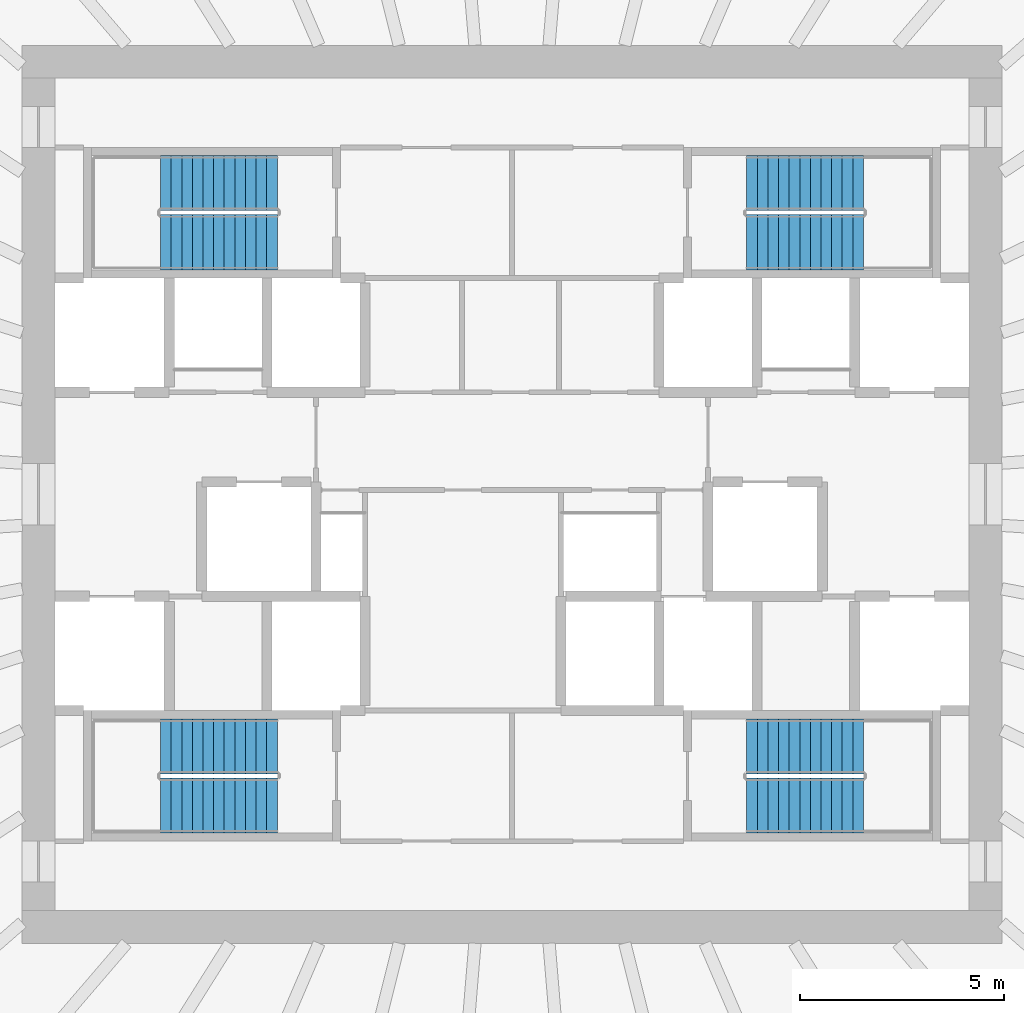
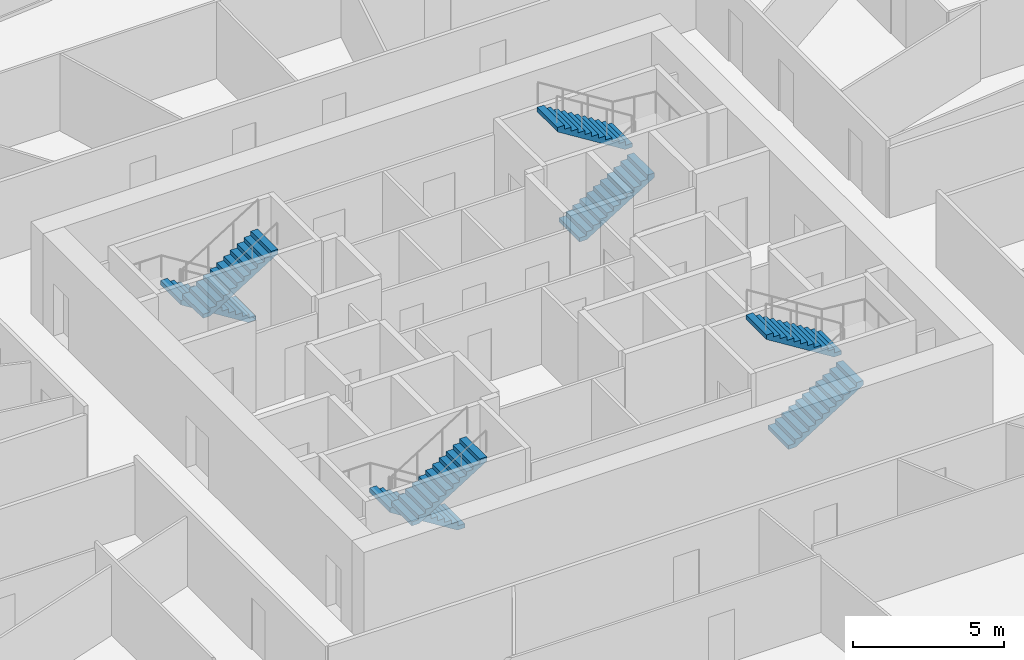
# One storey, part 10 of 11: 8 stair flights, 4 elements without a shape of their own.
"""IFC4 building model written with IfcOpenShell, lengths in metres."""

from ifc_helpers import new_model, si_unit, direction, frame, origin, place, context, subcontext, project, spatial, polyline, outline, extrude, source, transform, mapped, material, type_object, element, aggregate, save


model = new_model("IFC4")

# Units and contexts
model_context = context("Model", 3, precision=1e-05, world=origin(), true_north=direction((0.0, 1.0)))
body_context = subcontext(model_context, "Body", "Model", "MODEL_VIEW")
ifc_project = project(units=[si_unit("LENGTHUNIT", "METRE"), si_unit("AREAUNIT", "SQUARE_METRE"), si_unit("VOLUMEUNIT", "CUBIC_METRE"), si_unit("PLANEANGLEUNIT", "RADIAN"), si_unit("MASSUNIT", "GRAM", prefix="KILO")], contexts=[model_context])

# Site, building, storey
site_placement = place(None, origin())
site = spatial("IfcSite", under=ifc_project, at=site_placement, CompositionType="ELEMENT")
building_placement = place(site_placement, origin())
building = spatial("IfcBuilding", under=site, at=building_placement, Name="Embergate Tower", CompositionType="ELEMENT")
storey_placement = place(building_placement, frame((0.0, 0.0, 211.199951171875)))
storey = spatial("IfcBuildingStorey", under=building, at=storey_placement, Name="L48", CompositionType="ELEMENT", Elevation=211.199951171875)

# Stair, stair flights
ifc_material_1 = material(Name="Exit stair")
stair_type = type_object("IfcStairType", Name="Exit stair", PredefinedType="HALF_TURN_STAIR", material=ifc_material_1)
stair_1_placement = place(storey_placement, origin())
stair_1 = element("IfcStair", 1, at=stair_1_placement, inside=storey, type_object=stair_type, Name="L48 Exit stair 1", PredefinedType="HALF_TURN_STAIR")
ifc_material_2 = material(Name="Concrete C40", Category="concrete")
stair_flight_type = type_object("IfcStairFlightType", Name="Stair flight reinforced concrete", PredefinedType="STRAIGHT", material=ifc_material_2)
shared_shape = source(origin(), body_context, "Body", "SweptSolid", [
    extrude(outline(polyline([(0.0, 0.0), (0.0, 0.16259765625), (0.260009765625, 0.16259765625), (0.260009765625, 0.324951171875), (0.52001953125, 0.324951171875), (0.52001953125, 0.487548828125), (0.780029296875, 0.487548828125), (0.780029296875, 0.64990234375), (1.0400390625, 0.64990234375), (1.0400390625, 0.8125), (1.300048828125, 0.8125), (1.300048828125, 0.97509765625), (1.56005859375, 0.97509765625), (1.56005859375, 1.137451171875), (1.820068359375, 1.137451171875), (1.820068359375, 1.300048828125), (2.080078125, 1.300048828125), (2.080078125, 1.46240234375), (2.340087890625, 1.46240234375), (2.340087890625, 1.625), (2.60009765625, 1.625), (2.60009765625, 1.78759765625), (2.860107421875, 1.78759765625), (2.860107421875, 1.949951171875), (2.860107421875, 1.61083984375), (0.28271484375, 0.0), (0.0, 0.0)])), frame((0.0, 0.675048828125, 0.0), z_axis=(0.0, -1.0, 0.0), x_axis=(1.0, 0.0, 0.0)), (0.0, 0.0, 1.0), 1.35009765625),
])
stair_flight_1_placement = place(storey_placement, frame((-5.75, 7.625, 0.0), z_axis=(0.0, 0.0, 1.0), x_axis=(-1.0, 0.0, 0.0)))
stair_flight_1 = element("IfcStairFlight", 2, at=stair_flight_1_placement, type_object=stair_flight_type, Name="ST1 flight 1", NumberOfRisers=12, NumberOfTreads=11, PredefinedType="STRAIGHT", RiserHeight=0.1625, TreadLength=0.26, context=body_context, shape_type="MappedRepresentation", body=[
    mapped(shared_shape, transform((0.0, 0.0, 0.0))),
])
stair_flight_2_placement = place(storey_placement, frame((-8.610107421875, 6.175048828125, 1.949951171875), z_axis=(0.0, 0.0, 1.0), x_axis=(1.0, 0.0, 0.0)))
stair_flight_2 = element("IfcStairFlight", 3, at=stair_flight_2_placement, type_object=stair_flight_type, Name="ST1 flight 2", NumberOfRisers=12, NumberOfTreads=11, PredefinedType="STRAIGHT", RiserHeight=0.1625, TreadLength=0.26, context=body_context, shape_type="MappedRepresentation", body=[
    mapped(shared_shape, transform((0.0, 0.0, 0.0))),
])
aggregate(stair_1, [stair_flight_1, stair_flight_2])

stair_2_placement = place(storey_placement, origin())
stair_2 = element("IfcStair", 4, at=stair_2_placement, inside=storey, type_object=stair_type, Name="L48 Exit stair 2", PredefinedType="HALF_TURN_STAIR")
stair_flight_3_placement = place(storey_placement, frame((5.75, 6.175048828125, 0.0), z_axis=(0.0, 0.0, 1.0), x_axis=(1.0, 0.0, 0.0)))
stair_flight_3 = element("IfcStairFlight", 5, at=stair_flight_3_placement, type_object=stair_flight_type, Name="ST2 flight 1", NumberOfRisers=12, NumberOfTreads=11, PredefinedType="STRAIGHT", RiserHeight=0.1625, TreadLength=0.26, context=body_context, shape_type="MappedRepresentation", body=[
    mapped(shared_shape, transform((0.0, 0.0, 0.0))),
])
stair_flight_4_placement = place(storey_placement, frame((8.610107421875, 7.625, 1.949951171875), z_axis=(0.0, 0.0, 1.0), x_axis=(-1.0, 0.0, 0.0)))
stair_flight_4 = element("IfcStairFlight", 6, at=stair_flight_4_placement, type_object=stair_flight_type, Name="ST2 flight 2", NumberOfRisers=12, NumberOfTreads=11, PredefinedType="STRAIGHT", RiserHeight=0.1625, TreadLength=0.26, context=body_context, shape_type="MappedRepresentation", body=[
    mapped(shared_shape, transform((0.0, 0.0, 0.0))),
])
aggregate(stair_2, [stair_flight_3, stair_flight_4])

stair_3_placement = place(storey_placement, origin())
stair_3 = element("IfcStair", 7, at=stair_3_placement, inside=storey, type_object=stair_type, Name="L48 Exit stair 3", PredefinedType="HALF_TURN_STAIR")
stair_flight_5_placement = place(storey_placement, frame((-5.75, -6.175048828125, 0.0), z_axis=(0.0, 0.0, 1.0), x_axis=(-1.0, 0.0, 0.0)))
stair_flight_5 = element("IfcStairFlight", 8, at=stair_flight_5_placement, type_object=stair_flight_type, Name="ST3 flight 1", NumberOfRisers=12, NumberOfTreads=11, PredefinedType="STRAIGHT", RiserHeight=0.1625, TreadLength=0.26, context=body_context, shape_type="MappedRepresentation", body=[
    mapped(shared_shape, transform((0.0, 0.0, 0.0))),
])
stair_flight_6_placement = place(storey_placement, frame((-8.610107421875, -7.625, 1.949951171875), z_axis=(0.0, 0.0, 1.0), x_axis=(1.0, 0.0, 0.0)))
stair_flight_6 = element("IfcStairFlight", 9, at=stair_flight_6_placement, type_object=stair_flight_type, Name="ST3 flight 2", NumberOfRisers=12, NumberOfTreads=11, PredefinedType="STRAIGHT", RiserHeight=0.1625, TreadLength=0.26, context=body_context, shape_type="MappedRepresentation", body=[
    mapped(shared_shape, transform((0.0, 0.0, 0.0))),
])
aggregate(stair_3, [stair_flight_5, stair_flight_6])

stair_4_placement = place(storey_placement, origin())
stair_4 = element("IfcStair", 10, at=stair_4_placement, inside=storey, type_object=stair_type, Name="L48 Exit stair 4", PredefinedType="HALF_TURN_STAIR")
stair_flight_7_placement = place(storey_placement, frame((5.75, -7.625, 0.0), z_axis=(0.0, 0.0, 1.0), x_axis=(1.0, 0.0, 0.0)))
stair_flight_7 = element("IfcStairFlight", 11, at=stair_flight_7_placement, type_object=stair_flight_type, Name="ST4 flight 1", NumberOfRisers=12, NumberOfTreads=11, PredefinedType="STRAIGHT", RiserHeight=0.1625, TreadLength=0.26, context=body_context, shape_type="MappedRepresentation", body=[
    mapped(shared_shape, transform((0.0, 0.0, 0.0))),
])
stair_flight_8_placement = place(storey_placement, frame((8.610107421875, -6.175048828125, 1.949951171875), z_axis=(0.0, 0.0, 1.0), x_axis=(-1.0, 0.0, 0.0)))
stair_flight_8 = element("IfcStairFlight", 12, at=stair_flight_8_placement, type_object=stair_flight_type, Name="ST4 flight 2", NumberOfRisers=12, NumberOfTreads=11, PredefinedType="STRAIGHT", RiserHeight=0.1625, TreadLength=0.26, context=body_context, shape_type="MappedRepresentation", body=[
    mapped(shared_shape, transform((0.0, 0.0, 0.0))),
])
aggregate(stair_4, [stair_flight_7, stair_flight_8])

save(model, "model.ifc")
